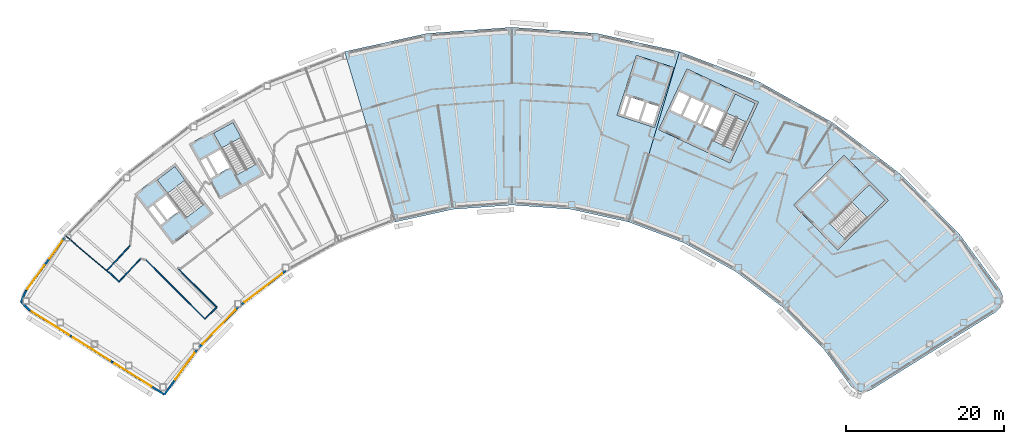
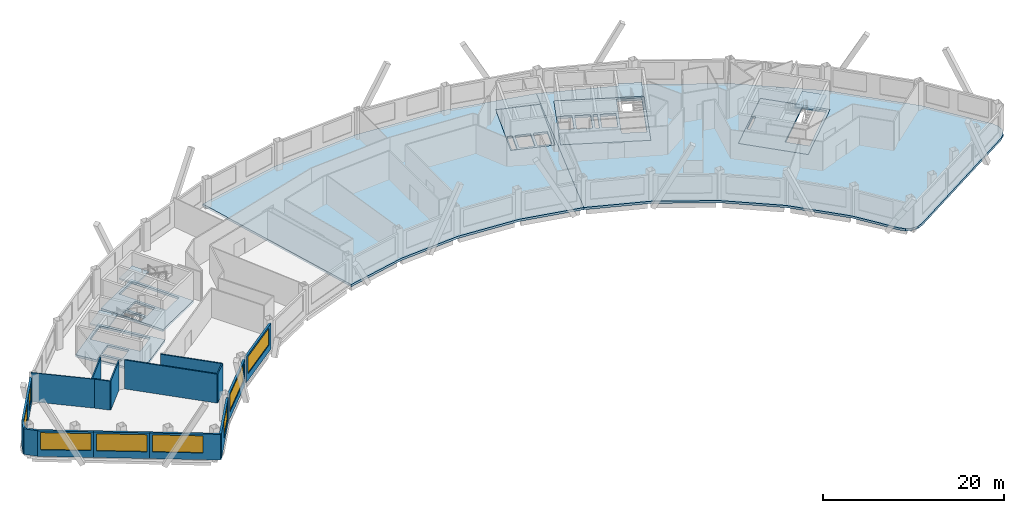
# One storey, part 4 of 13: 16 walls, 11 slabs, 8 windows, 8 openings, 4 elements without a shape of their own.
"""IFC4 building model written with IfcOpenShell, lengths in metres."""

from ifc_helpers import new_model, si_unit, direction, frame, frame_2d, origin, place, context, subcontext, project, spatial, polyline, rectangle, outline, extrude, material, layer, layer_set, type_object, element, fill, aggregate, save


model = new_model("IFC4")

# Units and contexts
model_context = context("Model", 3, precision=1e-05, world=origin(), true_north=direction((0.0, 1.0)))
body_context = subcontext(model_context, "Body", "Model", "MODEL_VIEW")
ifc_project = project(units=[si_unit("LENGTHUNIT", "METRE"), si_unit("AREAUNIT", "SQUARE_METRE"), si_unit("VOLUMEUNIT", "CUBIC_METRE"), si_unit("PLANEANGLEUNIT", "RADIAN"), si_unit("MASSUNIT", "GRAM", prefix="KILO")], contexts=[model_context])

# Site, building, storey
site_placement = place(None, origin())
site = spatial("IfcSite", under=ifc_project, at=site_placement, CompositionType="ELEMENT")
building_placement = place(site_placement, origin())
building = spatial("IfcBuilding", under=site, at=building_placement, Name="Tuul Gate Civic Tower", CompositionType="ELEMENT")
storey_placement = place(building_placement, frame((0.0, 0.0, 294.199951171875)))
storey = spatial("IfcBuildingStorey", under=building, at=storey_placement, Name="Level 66", CompositionType="ELEMENT", Elevation=294.199951171875)

# Slabs
ifc_material_1 = material(Name="Concrete C40/50", Category="concrete")
ifc_layer_1 = layer(ifc_material_1, 0.300048828125)
ifc_layer_set_1 = layer_set([ifc_layer_1], Name="Concrete C40/50")
slab_type_1 = type_object("IfcSlabType", Name="Core floor slab 300", PredefinedType="FLOOR", material=ifc_layer_set_1)
slab_1_placement = place(storey_placement, frame((0.0, 0.0, -0.300048828125)))
element("IfcSlab", 1, at=slab_1_placement, inside=storey, type_object=slab_type_1, Name="FLOOR SLAB", PredefinedType="FLOOR", context=body_context, shape_type="SweptSolid", body=[
    extrude(outline(polyline([(-31.10009765625, -13.7890625), (-35.946044921875, -7.423828125), (-41.11767578125, -11.361572265625), (-36.271484375, -17.726806640625), (-31.10009765625, -13.7890625)]), holes=[polyline([(-35.561767578125, -13.541259765625), (-37.1064453125, -11.512451171875), (-38.498779296875, -12.572509765625), (-36.9541015625, -14.6015625), (-35.561767578125, -13.541259765625)]), polyline([(-37.19287109375, -14.783203125), (-38.737548828125, -12.75439453125), (-39.45361328125, -13.299560546875), (-37.908935546875, -15.328369140625), (-37.19287109375, -14.783203125)]), polyline([(-32.33935546875, -12.65771484375), (-34.56591796875, -14.352783203125), (-38.229736328125, -9.54052734375), (-36.003173828125, -7.845458984375), (-32.33935546875, -12.65771484375)])]), origin(), (0.0, 0.0, 1.0), 0.300048828125),
])
slab_2_placement = place(storey_placement, frame((0.0, 0.0, -0.300048828125)))
element("IfcSlab", 2, at=slab_2_placement, inside=storey, type_object=slab_type_1, Name="FLOOR SLAB", PredefinedType="FLOOR", context=body_context, shape_type="SweptSolid", body=[
    extrude(outline(polyline([(-24.638916015625, -8.846923828125), (-28.51708984375, -1.849853515625), (-34.2021484375, -5.0009765625), (-30.32421875, -11.998046875), (-24.638916015625, -8.846923828125)]), holes=[polyline([(-29.0185546875, -7.958740234375), (-30.254638671875, -5.728515625), (-31.785400390625, -6.576904296875), (-30.54931640625, -8.80712890625), (-29.0185546875, -7.958740234375)]), polyline([(-30.8115234375, -8.95263671875), (-32.047607421875, -6.72216796875), (-32.8349609375, -7.158447265625), (-31.5986328125, -9.388916015625), (-30.8115234375, -8.95263671875)]), polyline([(-25.702392578125, -7.548828125), (-28.14990234375, -8.905517578125), (-31.08203125, -3.615234375), (-28.63427734375, -2.2587890625), (-25.702392578125, -7.548828125)])]), origin(), (0.0, 0.0, 1.0), 0.300048828125),
])
slab_3_placement = place(storey_placement, frame((0.0, 0.0, -0.300048828125)))
element("IfcSlab", 3, at=slab_3_placement, inside=storey, type_object=slab_type_1, Name="FLOOR SLAB", PredefinedType="FLOOR", context=body_context, shape_type="SweptSolid", body=[
    extrude(outline(polyline([(48.117919921875, -18.43310546875), (54.545166015625, -12.1328125), (48.945068359375, -6.419921875), (42.517822265625, -12.719970703125), (48.117919921875, -18.43310546875)]), holes=[polyline([(44.93896484375, -11.046875), (46.760009765625, -9.261962890625), (46.514892578125, -9.011962890625), (44.69384765625, -10.797119140625), (44.93896484375, -11.046875)]), polyline([(49.086181640625, -17.062744140625), (47.12744140625, -15.064208984375), (52.160888671875, -10.130126953125), (54.11962890625, -12.128662109375), (49.086181640625, -17.062744140625)])]), origin(), (0.0, 0.0, 1.0), 0.300048828125),
])
slab_4_placement = place(storey_placement, frame((0.0, 0.0, -0.300048828125)))
element("IfcSlab", 4, at=slab_4_placement, inside=storey, type_object=slab_type_1, Name="FLOOR SLAB", PredefinedType="FLOOR", context=body_context, shape_type="SweptSolid", body=[
    extrude(outline(polyline([(34.465087890625, -7.385986328125), (38.056884765625, 0.31787109375), (28.993896484375, 4.543701171875), (25.40185546875, -3.159912109375), (34.465087890625, -7.385986328125)]), holes=[polyline([(32.60888671875, -3.32080078125), (33.6865234375, -1.009765625), (32.1005859375, -0.27001953125), (31.02294921875, -2.581298828125), (32.60888671875, -3.32080078125)]), polyline([(30.0712890625, -2.137451171875), (31.14892578125, 0.173583984375), (29.562744140625, 0.9130859375), (28.4853515625, -1.39794921875), (30.0712890625, -2.137451171875)]), polyline([(30.751220703125, -2.454345703125), (31.82861328125, -0.143310546875), (31.4208984375, 0.046875), (30.34326171875, -2.264404296875), (30.751220703125, -2.454345703125)]), polyline([(28.21337890625, -1.27099609375), (29.291015625, 1.0400390625), (27.8408203125, 1.71630859375), (26.76318359375, -0.594970703125), (28.21337890625, -1.27099609375)]), polyline([(34.889892578125, -5.7626953125), (32.353759765625, -4.580078125), (35.120849609375, 1.354736328125), (37.6572265625, 0.17236328125), (34.889892578125, -5.7626953125)])]), origin(), (0.0, 0.0, 1.0), 0.300048828125),
])
ifc_material_2 = material(Name="Concrete C40/50", Category="concrete")
ifc_layer_2 = layer(ifc_material_2, 0.300048828125)
ifc_layer_set_2 = layer_set([ifc_layer_2], Name="Concrete C40/50")
slab_type_2 = type_object("IfcSlabType", Name="Core floor slab 300 non-bearing", PredefinedType="FLOOR", material=ifc_layer_set_2)
slab_5_placement = place(storey_placement, frame((0.0, 0.0, -0.300048828125)))
element("IfcSlab", 5, at=slab_5_placement, inside=storey, type_object=slab_type_2, Name="FLOOR SLAB", PredefinedType="FLOOR", context=body_context, shape_type="SweptSolid", body=[
    extrude(outline(polyline([(24.864990234375, -2.888916015625), (27.337890625, 4.71923828125), (22.58251953125, 6.264404296875), (20.109619140625, -1.343994140625), (24.864990234375, -2.888916015625)]), holes=[polyline([(24.67236328125, -2.510986328125), (25.414306640625, -0.228515625), (23.892578125, 0.265869140625), (23.150634765625, -2.0166015625), (24.67236328125, -2.510986328125)]), polyline([(22.865478515625, -1.923828125), (23.607177734375, 0.358642578125), (21.94287109375, 0.8994140625), (21.201171875, -1.383056640625), (22.865478515625, -1.923828125)]), polyline([(20.869384765625, -1.43310546875), (21.65771484375, 0.9921875), (21.0869140625, 1.177490234375), (20.298583984375, -1.24755859375), (20.869384765625, -1.43310546875)])]), origin(), (0.0, 0.0, 1.0), 0.300048828125),
])

# Stair, slab
ifc_material_3 = material(Name="Concrete C40/50", Category="concrete")
stair_type = type_object("IfcStairType", Name="Exit stair", PredefinedType="HALF_TURN_STAIR", material=ifc_material_3)
stair_1_placement = place(storey_placement, origin())
stair_1 = element("IfcStair", 6, at=stair_1_placement, inside=storey, type_object=stair_type, Name="Level 66 ST-1", PredefinedType="HALF_TURN_STAIR")
ifc_material_4 = material(Name="Concrete C40/50", Category="concrete")
ifc_layer_3 = layer(ifc_material_4, 0.199951171875)
ifc_layer_set_3 = layer_set([ifc_layer_3], Name="Concrete C40/50")
slab_type_3 = type_object("IfcSlabType", Name="Exit stair landing", PredefinedType="LANDING", material=ifc_layer_set_3)
slab_6_placement = place(storey_placement, frame((0.0, 0.0, 1.900146484375)))
slab_6 = element("IfcSlab", 7, at=slab_6_placement, type_object=slab_type_3, Name="ST-1 landing 1", PredefinedType="LANDING", context=body_context, shape_type="SweptSolid", body=[
    extrude(outline(polyline([(-34.699462890625, -9.554931640625), (-36.9287109375, -11.252197265625), (-38.23193359375, -9.540283203125), (-36.0029296875, -7.843017578125), (-34.699462890625, -9.554931640625)])), origin(), (0.0, 0.0, 1.0), 0.199951171875),
])
aggregate(stair_1, [slab_6])

stair_2_placement = place(storey_placement, origin())
stair_2 = element("IfcStair", 8, at=stair_2_placement, inside=storey, type_object=stair_type, Name="Level 66 ST-2", PredefinedType="HALF_TURN_STAIR")
slab_7_placement = place(storey_placement, frame((0.0, 0.0, 1.900146484375)))
slab_7 = element("IfcSlab", 9, at=slab_7_placement, type_object=slab_type_3, Name="ST-2 landing 1", PredefinedType="LANDING", context=body_context, shape_type="SweptSolid", body=[
    extrude(outline(polyline([(-27.5908203125, -4.138427734375), (-30.041015625, -5.49658203125), (-31.084228515625, -3.61474609375), (-28.6337890625, -2.256591796875), (-27.5908203125, -4.138427734375)])), origin(), (0.0, 0.0, 1.0), 0.199951171875),
])
aggregate(stair_2, [slab_7])

stair_3_placement = place(storey_placement, origin())
stair_3 = element("IfcStair", 10, at=stair_3_placement, inside=storey, type_object=stair_type, Name="Level 66 ST-3", PredefinedType="HALF_TURN_STAIR")
slab_8_placement = place(storey_placement, frame((0.0, 0.0, 1.900146484375)))
slab_8 = element("IfcSlab", 11, at=slab_8_placement, type_object=slab_type_3, Name="ST-3 landing 1", PredefinedType="LANDING", context=body_context, shape_type="SweptSolid", body=[
    extrude(outline(polyline([(51.871337890625, -14.3349609375), (49.91015625, -12.334228515625), (52.160888671875, -10.1279296875), (54.1220703125, -12.128662109375), (51.871337890625, -14.3349609375)])), origin(), (0.0, 0.0, 1.0), 0.199951171875),
])
aggregate(stair_3, [slab_8])

stair_4_placement = place(storey_placement, origin())
stair_4 = element("IfcStair", 12, at=stair_4_placement, inside=storey, type_object=stair_type, Name="Level 66 ST-4", PredefinedType="HALF_TURN_STAIR")
slab_9_placement = place(storey_placement, frame((0.0, 0.0, 1.900146484375)))
slab_9 = element("IfcSlab", 13, at=slab_9_placement, type_object=slab_type_3, Name="ST-4 landing 1", PredefinedType="LANDING", context=body_context, shape_type="SweptSolid", body=[
    extrude(outline(polyline([(36.538818359375, -2.230224609375), (33.999755859375, -1.046142578125), (35.1201171875, 1.35693359375), (37.659423828125, 0.173095703125), (36.538818359375, -2.230224609375)])), origin(), (0.0, 0.0, 1.0), 0.199951171875),
])
aggregate(stair_4, [slab_9])

# Slabs
ifc_material_5 = material(Name="Concrete C35/45", Category="concrete")
ifc_layer_4 = layer(ifc_material_5, 0.300048828125)
ifc_layer_set_4 = layer_set([ifc_layer_4], Name="Concrete C35/45")
slab_type_4 = type_object("IfcSlabType", Name="STR-FLOOR-SLAB-300", PredefinedType="FLOOR", material=ifc_layer_set_4)
slab_10_placement = place(storey_placement, frame((0.0, 0.0, -0.300048828125)))
element("IfcSlab", 14, at=slab_10_placement, inside=storey, type_object=slab_type_4, Name="Level 66/slab/M", PredefinedType="FLOOR", context=body_context, shape_type="SweptSolid", body=[
    extrude(outline(polyline([(21.60205078125, -14.883056640625), (28.035888671875, 6.739013671875), (17.52392578125, 9.054931640625), (6.7880859375, 9.8330078125), (-3.947998046875, 9.054931640625), (-14.4599609375, 6.739013671875), (-8.02587890625, -14.883056640625), (-0.697021484375, -13.26806640625), (6.7880859375, -12.72607421875), (14.27294921875, -13.26806640625), (21.60205078125, -14.883056640625)]), holes=[polyline([(20.110107421875, -1.343994140625), (22.58203125, 6.264892578125), (27.337890625, 4.719970703125), (24.864990234375, -2.888916015625), (20.110107421875, -1.343994140625)])]), origin(), (0.0, 0.0, 1.0), 0.300048828125),
])
slab_11_placement = place(storey_placement, frame((0.0, 0.0, -0.300048828125)))
element("IfcSlab", 15, at=slab_11_placement, inside=storey, type_object=slab_type_4, Name="Level 66/slab/E", PredefinedType="FLOOR", context=body_context, shape_type="SweptSolid", body=[
    extrude(outline(polyline([(51.719970703125, -36.427001953125), (52.4140625, -36.156005859375), (68.14404296875, -26.326904296875), (68.73388671875, -25.762939453125), (69.048095703125, -25.010009765625), (69.035888671875, -24.195068359375), (68.699951171875, -23.451904296875), (63.618896484375, -16.4951171875), (56.083984375, -8.80810546875), (47.51904296875, -2.287109375), (38.10498046875, 2.930908203125), (28.035888671875, 6.739013671875), (21.60205078125, -14.883056640625), (28.6220703125, -17.5380859375), (35.18603515625, -21.176025390625), (41.156982421875, -25.721923828125), (46.409912109375, -31.08203125), (49.739013671875, -35.639892578125), (50.282958984375, -36.14892578125), (50.97509765625, -36.424072265625), (51.719970703125, -36.427001953125)]), holes=[polyline([(48.117919921875, -18.43310546875), (42.51806640625, -12.719970703125), (48.945068359375, -6.419921875), (54.544921875, -12.133056640625), (48.117919921875, -18.43310546875)]), polyline([(25.402099609375, -3.159912109375), (28.993896484375, 4.5439453125), (38.056884765625, 0.318115234375), (34.465087890625, -7.385986328125), (25.402099609375, -3.159912109375)])]), origin(), (0.0, 0.0, 1.0), 0.300048828125),
])

# Walls
ifc_material_6 = material(Name="Gypsum board partition")
ifc_layer_5 = layer(ifc_material_6, 0.14990234375)
ifc_layer_set_5 = layer_set([ifc_layer_5], Name="Gypsum board partition")
wall_type_1 = type_object("IfcWallType", Name="Corridor wall P150", PredefinedType="PARTITIONING", material=ifc_layer_set_5)
wall_1_placement = place(storey_placement, frame((-44.6142578125, -21.029052734375, 0.0), z_axis=(0.0, 0.0, 1.0), x_axis=(0.68265633177, 0.730739579259, 0.0)))
element("IfcWall", 16, at=wall_1_placement, inside=storey, type_object=wall_type_1, Name="p045", PredefinedType="PARTITIONING", context=body_context, shape_type="SweptSolid", body=[
    extrude(rectangle(XDim=4.27001953125, YDim=0.14990234375, at=frame_2d((2.135009765625, 0.0))), origin(), (0.0, 0.0, 1.0), 3.900146484375),
])
wall_2_placement = place(storey_placement, frame((-44.39306640625, -21.236572265625, 0.0), z_axis=(0.0, 0.0, 1.0), x_axis=(0.730747937215, -0.682647385007, 0.0)))
element("IfcWall", 17, at=wall_2_placement, inside=storey, type_object=wall_type_1, Name="p046", PredefinedType="PARTITIONING", context=body_context, shape_type="SweptSolid", body=[
    extrude(rectangle(XDim=1.796875, YDim=0.14990234375, at=frame_2d((0.8984375, 0.0))), origin(), (0.0, 0.0, 1.0), 3.900146484375),
])
wall_3_placement = place(storey_placement, frame((-43.080078125, -22.463134765625, 0.0), z_axis=(0.0, 0.0, 1.0), x_axis=(0.682698460931, 0.730700219955, 0.0)))
element("IfcWall", 18, at=wall_3_placement, inside=storey, type_object=wall_type_1, Name="p078", PredefinedType="PARTITIONING", context=body_context, shape_type="SweptSolid", body=[
    extrude(rectangle(XDim=4.002685546875, YDim=0.14990234375, at=frame_2d((2.00146484375, 0.0))), origin(), (0.0, 0.0, 1.0), 3.900146484375),
])
wall_4_placement = place(storey_placement, frame((-39.660400390625, -19.703369140625, 0.0), z_axis=(0.0, 0.0, 1.0), x_axis=(0.707106781187, -0.707106781187, 0.0)))
element("IfcWall", 19, at=wall_4_placement, inside=storey, type_object=wall_type_1, Name="p081", PredefinedType="PARTITIONING", context=body_context, shape_type="SweptSolid", body=[
    extrude(rectangle(XDim=10.580078125, YDim=0.14990234375, at=frame_2d((5.2900390625, 0.0))), origin(), (0.0, 0.0, 1.0), 3.900146484375),
])
wall_5_placement = place(storey_placement, frame((-32.17919921875, -27.1845703125, 0.0), z_axis=(0.0, 0.0, 1.0), x_axis=(0.707164905125, 0.70704865247, 0.0)))
element("IfcWall", 20, at=wall_5_placement, inside=storey, type_object=wall_type_1, Name="p082", PredefinedType="PARTITIONING", context=body_context, shape_type="SweptSolid", body=[
    extrude(rectangle(XDim=2.10009765625, YDim=0.14990234375, at=frame_2d((1.050048828125, 0.0))), origin(), (0.0, 0.0, 1.0), 3.900146484375),
])
wall_6_placement = place(storey_placement, frame((-35.668701171875, -20.72509765625, 0.0), z_axis=(0.0, 0.0, 1.0), x_axis=(0.707106781187, -0.707106781187, 0.0)))
element("IfcWall", 21, at=wall_6_placement, inside=storey, type_object=wall_type_1, Name="p083", PredefinedType="PARTITIONING", context=body_context, shape_type="SweptSolid", body=[
    extrude(rectangle(XDim=7.03515625, YDim=0.14990234375, at=frame_2d((3.517578125, 0.0))), origin(), (0.0, 0.0, 1.0), 3.900146484375),
])

# Wall, openings, windows
ifc_material_7 = material(Name="Precast concrete C40/50", Category="concrete")
ifc_layer_6 = layer(ifc_material_7, 0.25)
ifc_layer_set_6 = layer_set([ifc_layer_6], Name="Precast concrete C40/50")
wall_type_2 = type_object("IfcWallType", Name="External wall", PredefinedType="STANDARD", material=ifc_layer_set_6)
wall_7_placement = place(storey_placement, frame((-49.98388671875, -16.880615234375, 0.0), z_axis=(0.0, 0.0, 1.0), x_axis=(-0.589770614985, -0.807570815285, 0.0)))
wall_7 = element("IfcWall", 22, at=wall_7_placement, inside=storey, type_object=wall_type_2, Name="External wall", PredefinedType="STANDARD", context=body_context, shape_type="SweptSolid", body=[
    extrude(rectangle(XDim=8.337646484375, YDim=0.25, at=frame_2d((4.1689453125, 0.0))), origin(), (0.0, 0.0, 1.0), 3.449951171875),
])
opening_1_placement = place(wall_7_placement, frame((0.48486328125, 0.0, 0.89990234375)))
opening_1 = element("IfcOpeningElement", 23, at=opening_1_placement, cuts=wall_7, Name="Opening W23", PredefinedType="OPENING", context=body_context, shape_type="SweptSolid", body=[
    extrude(rectangle(XDim=2.800048828125, YDim=2.300048828125, at=frame_2d((1.39990234375, 1.14990234375))), frame((0.0, 0.135009765625, 0.0), z_axis=(0.0, -1.0, 0.0), x_axis=(1.0, 0.0, 0.0)), (0.0, 0.0, 1.0), 0.27001953125),
])
opening_2_placement = place(wall_7_placement, frame((4.33642578125, 0.0, 0.89990234375)))
opening_2 = element("IfcOpeningElement", 24, at=opening_2_placement, cuts=wall_7, Name="Opening W21", PredefinedType="OPENING", context=body_context, shape_type="SweptSolid", body=[
    extrude(rectangle(XDim=3.699951171875, YDim=2.300048828125, at=frame_2d((1.85009765625, 1.14990234375))), frame((0.0, 0.135009765625, 0.0), z_axis=(0.0, -1.0, 0.0), x_axis=(1.0, 0.0, 0.0)), (0.0, 0.0, 1.0), 0.27001953125),
])
ifc_material_8 = material(Name="Glass", Category="glass")
window_type_1 = type_object("IfcWindowType", Name="Window W21 3700 x 2300", PartitioningType="SINGLE_PANEL", PredefinedType="WINDOW", material=ifc_material_8)
window_1_placement = place(opening_2_placement, origin())
window_1 = element("IfcWindow", 25, at=window_1_placement, inside=storey, type_object=window_type_1, Name="Window", OverallHeight=2.300048828125, OverallWidth=3.699951171875, PartitioningType="SINGLE_PANEL", PredefinedType="WINDOW", context=body_context, shape_type="SweptSolid", body=[
    extrude(rectangle(XDim=3.699951171875, YDim=2.300048828125, at=frame_2d((1.85009765625, 1.14990234375))), frame((0.0, 0.030029296875, 0.0), z_axis=(0.0, -1.0, 0.0), x_axis=(1.0, 0.0, 0.0)), (0.0, 0.0, 1.0), 0.06005859375),
])
fill(opening_2, window_1)
ifc_material_9 = material(Name="Glass", Category="glass")
window_type_2 = type_object("IfcWindowType", Name="Window W23 2800 x 2300", PartitioningType="SINGLE_PANEL", PredefinedType="WINDOW", material=ifc_material_9)
window_2_placement = place(opening_1_placement, origin())
window_2 = element("IfcWindow", 26, at=window_2_placement, inside=storey, type_object=window_type_2, Name="Window", OverallHeight=2.300048828125, OverallWidth=2.800048828125, PartitioningType="SINGLE_PANEL", PredefinedType="WINDOW", context=body_context, shape_type="SweptSolid", body=[
    extrude(rectangle(XDim=2.800048828125, YDim=2.300048828125, at=frame_2d((1.39990234375, 1.14990234375))), frame((0.0, 0.030029296875, 0.0), z_axis=(0.0, -1.0, 0.0), x_axis=(1.0, 0.0, 0.0)), (0.0, 0.0, 1.0), 0.06005859375),
])
fill(opening_1, window_2)

# Walls
wall_8_placement = place(storey_placement, frame((-54.88818359375, -23.591796875, 0.0), z_axis=(0.0, 0.0, 1.0), x_axis=(-0.413556849361, -0.910478298669, 0.0)))
element("IfcWall", 27, at=wall_8_placement, inside=storey, type_object=wall_type_2, Name="External wall", PredefinedType="STANDARD", context=body_context, shape_type="SweptSolid", body=[
    extrude(rectangle(XDim=1.56982421875, YDim=0.25, at=frame_2d((0.784912109375, 0.0))), origin(), (0.0, 0.0, 1.0), 3.449951171875),
])
wall_9_placement = place(storey_placement, frame((-55.537353515625, -25.02099609375, 0.0), z_axis=(0.0, 0.0, 1.0), x_axis=(0.721623018899, -0.692286225917, 0.0)))
element("IfcWall", 28, at=wall_9_placement, inside=storey, type_object=wall_type_2, Name="External wall", PredefinedType="STANDARD", context=body_context, shape_type="SweptSolid", body=[
    extrude(rectangle(XDim=1.57275390625, YDim=0.25, at=frame_2d((0.786376953125, 0.0))), origin(), (0.0, 0.0, 1.0), 3.449951171875),
])

# Wall, opening, window
wall_10_placement = place(storey_placement, frame((-54.4228515625, -26.093994140625, 0.0), z_axis=(0.0, 0.0, 1.0), x_axis=(0.848053758074, -0.529910203164, 0.0)))
wall_10 = element("IfcWall", 29, at=wall_10_placement, inside=storey, type_object=wall_type_2, Name="External wall", PredefinedType="STANDARD", context=body_context, shape_type="SweptSolid", body=[
    extrude(rectangle(XDim=6.182861328125, YDim=0.25, at=frame_2d((3.09130859375, 0.0))), origin(), (0.0, 0.0, 1.0), 3.449951171875),
])
opening_3_placement = place(wall_10_placement, frame((0.31640625, 0.0, 0.89990234375)))
opening_3 = element("IfcOpeningElement", 30, at=opening_3_placement, cuts=wall_10, Name="Opening W24", PredefinedType="OPENING", context=body_context, shape_type="SweptSolid", body=[
    extrude(rectangle(XDim=5.550048828125, YDim=2.300048828125, at=frame_2d((2.77490234375, 1.14990234375))), frame((0.0, 0.135009765625, 0.0), z_axis=(0.0, -1.0, 0.0), x_axis=(1.0, 0.0, 0.0)), (0.0, 0.0, 1.0), 0.27001953125),
])
ifc_material_10 = material(Name="Glass", Category="glass")
window_type_3 = type_object("IfcWindowType", Name="Window W24 5550 x 2300", PartitioningType="SINGLE_PANEL", PredefinedType="WINDOW", material=ifc_material_10)
window_3_placement = place(opening_3_placement, origin())
window_3 = element("IfcWindow", 31, at=window_3_placement, inside=storey, type_object=window_type_3, Name="Window", OverallHeight=2.300048828125, OverallWidth=5.550048828125, PartitioningType="SINGLE_PANEL", PredefinedType="WINDOW", context=body_context, shape_type="SweptSolid", body=[
    extrude(rectangle(XDim=5.550048828125, YDim=2.300048828125, at=frame_2d((2.77490234375, 1.14990234375))), frame((0.0, 0.030029296875, 0.0), z_axis=(0.0, -1.0, 0.0), x_axis=(1.0, 0.0, 0.0)), (0.0, 0.0, 1.0), 0.06005859375),
])
fill(opening_3, window_3)

wall_11_placement = place(storey_placement, frame((-49.179443359375, -29.370361328125, 0.0), z_axis=(0.0, 0.0, 1.0), x_axis=(0.848053758074, -0.529910203164, 0.0)))
wall_11 = element("IfcWall", 32, at=wall_11_placement, inside=storey, type_object=wall_type_2, Name="External wall", PredefinedType="STANDARD", context=body_context, shape_type="SweptSolid", body=[
    extrude(rectangle(XDim=6.182861328125, YDim=0.25, at=frame_2d((3.09130859375, 0.0))), origin(), (0.0, 0.0, 1.0), 3.449951171875),
])
opening_4_placement = place(wall_11_placement, frame((0.31640625, 0.0, 0.89990234375)))
opening_4 = element("IfcOpeningElement", 33, at=opening_4_placement, cuts=wall_11, Name="Opening W24", PredefinedType="OPENING", context=body_context, shape_type="SweptSolid", body=[
    extrude(rectangle(XDim=5.550048828125, YDim=2.300048828125, at=frame_2d((2.77490234375, 1.14990234375))), frame((0.0, 0.135009765625, 0.0), z_axis=(0.0, -1.0, 0.0), x_axis=(1.0, 0.0, 0.0)), (0.0, 0.0, 1.0), 0.27001953125),
])
window_4_placement = place(opening_4_placement, origin())
window_4 = element("IfcWindow", 34, at=window_4_placement, inside=storey, type_object=window_type_3, Name="Window", OverallHeight=2.300048828125, OverallWidth=5.550048828125, PartitioningType="SINGLE_PANEL", PredefinedType="WINDOW", context=body_context, shape_type="SweptSolid", body=[
    extrude(rectangle(XDim=5.550048828125, YDim=2.300048828125, at=frame_2d((2.77490234375, 1.14990234375))), frame((0.0, 0.030029296875, 0.0), z_axis=(0.0, -1.0, 0.0), x_axis=(1.0, 0.0, 0.0)), (0.0, 0.0, 1.0), 0.06005859375),
])
fill(opening_4, window_4)

wall_12_placement = place(storey_placement, frame((-43.93603515625, -32.646728515625, 0.0), z_axis=(0.0, 0.0, 1.0), x_axis=(0.848051131154, -0.529914407191, 0.0)))
wall_12 = element("IfcWall", 35, at=wall_12_placement, inside=storey, type_object=wall_type_2, Name="External wall", PredefinedType="STANDARD", context=body_context, shape_type="SweptSolid", body=[
    extrude(rectangle(XDim=7.788330078125, YDim=0.25, at=frame_2d((3.89404296875, 0.0))), origin(), (0.0, 0.0, 1.0), 3.449951171875),
])
opening_5_placement = place(wall_12_placement, frame((0.31640625, 0.0, 0.89990234375)))
opening_5 = element("IfcOpeningElement", 36, at=opening_5_placement, cuts=wall_12, Name="Opening W24", PredefinedType="OPENING", context=body_context, shape_type="SweptSolid", body=[
    extrude(rectangle(XDim=5.550048828125, YDim=2.300048828125, at=frame_2d((2.77490234375, 1.14990234375))), frame((0.0, 0.135009765625, 0.0), z_axis=(0.0, -1.0, 0.0), x_axis=(1.0, 0.0, 0.0)), (0.0, 0.0, 1.0), 0.27001953125),
])
window_5_placement = place(opening_5_placement, origin())
window_5 = element("IfcWindow", 37, at=window_5_placement, inside=storey, type_object=window_type_3, Name="Window", OverallHeight=2.300048828125, OverallWidth=5.550048828125, PartitioningType="SINGLE_PANEL", PredefinedType="WINDOW", context=body_context, shape_type="SweptSolid", body=[
    extrude(rectangle(XDim=5.550048828125, YDim=2.300048828125, at=frame_2d((2.77490234375, 1.14990234375))), frame((0.0, 0.030029296875, 0.0), z_axis=(0.0, -1.0, 0.0), x_axis=(1.0, 0.0, 0.0)), (0.0, 0.0, 1.0), 0.06005859375),
])
fill(opening_5, window_5)

wall_13_placement = place(storey_placement, frame((-37.3310546875, -36.77392578125, 0.0), z_axis=(0.0, 0.0, 1.0), x_axis=(0.589738966527, 0.807593927267, 0.0)))
wall_13 = element("IfcWall", 38, at=wall_13_placement, inside=storey, type_object=wall_type_2, Name="External wall", PredefinedType="STANDARD", context=body_context, shape_type="SweptSolid", body=[
    extrude(rectangle(XDim=7.034423828125, YDim=0.25, at=frame_2d((3.51708984375, 0.0))), origin(), (0.0, 0.0, 1.0), 3.449951171875),
])
opening_6_placement = place(wall_13_placement, frame((2.356689453125, 0.0, 0.89990234375)))
opening_6 = element("IfcOpeningElement", 39, at=opening_6_placement, cuts=wall_13, Name="Opening W25", PredefinedType="OPENING", context=body_context, shape_type="SweptSolid", body=[
    extrude(rectangle(XDim=4.14990234375, YDim=2.300048828125, at=frame_2d((2.074951171875, 1.14990234375))), frame((0.0, 0.135009765625, 0.0), z_axis=(0.0, -1.0, 0.0), x_axis=(1.0, 0.0, 0.0)), (0.0, 0.0, 1.0), 0.27001953125),
])
ifc_material_11 = material(Name="Glass", Category="glass")
window_type_4 = type_object("IfcWindowType", Name="Window W25 4150 x 2300", PartitioningType="SINGLE_PANEL", PredefinedType="WINDOW", material=ifc_material_11)
window_6_placement = place(opening_6_placement, origin())
window_6 = element("IfcWindow", 40, at=window_6_placement, inside=storey, type_object=window_type_4, Name="Window", OverallHeight=2.300048828125, OverallWidth=4.14990234375, PartitioningType="SINGLE_PANEL", PredefinedType="WINDOW", context=body_context, shape_type="SweptSolid", body=[
    extrude(rectangle(XDim=4.14990234375, YDim=2.300048828125, at=frame_2d((2.074951171875, 1.14990234375))), frame((0.0, 0.030029296875, 0.0), z_axis=(0.0, -1.0, 0.0), x_axis=(1.0, 0.0, 0.0)), (0.0, 0.0, 1.0), 0.06005859375),
])
fill(opening_6, window_6)

wall_14_placement = place(storey_placement, frame((-32.89306640625, -30.749267578125, 0.0), z_axis=(0.0, 0.0, 1.0), x_axis=(0.700033997015, 0.714109517528, 0.0)))
wall_14 = element("IfcWall", 41, at=wall_14_placement, inside=storey, type_object=wall_type_2, Name="External wall", PredefinedType="STANDARD", context=body_context, shape_type="SweptSolid", body=[
    extrude(rectangle(XDim=7.111572265625, YDim=0.25, at=frame_2d((3.5556640625, 0.0))), origin(), (0.0, 0.0, 1.0), 3.449951171875),
])
opening_7_placement = place(wall_14_placement, frame((0.555908203125, 0.0, 0.89990234375)))
opening_7 = element("IfcOpeningElement", 42, at=opening_7_placement, cuts=wall_14, Name="Opening W26", PredefinedType="OPENING", context=body_context, shape_type="SweptSolid", body=[
    extrude(rectangle(XDim=6.0, YDim=2.300048828125, at=frame_2d((3.0, 1.14990234375))), frame((0.0, 0.135009765625, 0.0), z_axis=(0.0, -1.0, 0.0), x_axis=(1.0, 0.0, 0.0)), (0.0, 0.0, 1.0), 0.27001953125),
])
ifc_material_12 = material(Name="Glass", Category="glass")
window_type_5 = type_object("IfcWindowType", Name="Window W26 6000 x 2300", PartitioningType="SINGLE_PANEL", PredefinedType="WINDOW", material=ifc_material_12)
window_7_placement = place(opening_7_placement, origin())
window_7 = element("IfcWindow", 43, at=window_7_placement, inside=storey, type_object=window_type_5, Name="Window", OverallHeight=2.300048828125, OverallWidth=6.0, PartitioningType="SINGLE_PANEL", PredefinedType="WINDOW", context=body_context, shape_type="SweptSolid", body=[
    extrude(rectangle(XDim=6.0, YDim=2.300048828125, at=frame_2d((3.0, 1.14990234375))), frame((0.0, 0.030029296875, 0.0), z_axis=(0.0, -1.0, 0.0), x_axis=(1.0, 0.0, 0.0)), (0.0, 0.0, 1.0), 0.06005859375),
])
fill(opening_7, window_7)

wall_15_placement = place(storey_placement, frame((-27.5791015625, -25.3759765625, 0.0), z_axis=(0.0, 0.0, 1.0), x_axis=(0.795582375141, 0.605845429433, 0.0)))
wall_15 = element("IfcWall", 44, at=wall_15_placement, inside=storey, type_object=wall_type_2, Name="External wall", PredefinedType="STANDARD", context=body_context, shape_type="SweptSolid", body=[
    extrude(rectangle(XDim=7.10400390625, YDim=0.25, at=frame_2d((3.552001953125, 0.0))), origin(), (0.0, 0.0, 1.0), 3.449951171875),
])
opening_8_placement = place(wall_15_placement, frame((0.541259765625, 0.0, 0.89990234375)))
opening_8 = element("IfcOpeningElement", 45, at=opening_8_placement, cuts=wall_15, Name="Opening W26", PredefinedType="OPENING", context=body_context, shape_type="SweptSolid", body=[
    extrude(rectangle(XDim=6.0, YDim=2.300048828125, at=frame_2d((3.0, 1.14990234375))), frame((0.0, 0.135009765625, 0.0), z_axis=(0.0, -1.0, 0.0), x_axis=(1.0, 0.0, 0.0)), (0.0, 0.0, 1.0), 0.27001953125),
])
window_8_placement = place(opening_8_placement, origin())
window_8 = element("IfcWindow", 46, at=window_8_placement, inside=storey, type_object=window_type_5, Name="Window", OverallHeight=2.300048828125, OverallWidth=6.0, PartitioningType="SINGLE_PANEL", PredefinedType="WINDOW", context=body_context, shape_type="SweptSolid", body=[
    extrude(rectangle(XDim=6.0, YDim=2.300048828125, at=frame_2d((3.0, 1.14990234375))), frame((0.0, 0.030029296875, 0.0), z_axis=(0.0, -1.0, 0.0), x_axis=(1.0, 0.0, 0.0)), (0.0, 0.0, 1.0), 0.06005859375),
])
fill(opening_8, window_8)

# Wall
ifc_material_13 = material(Name="Gypsum board partition")
ifc_layer_7 = layer(ifc_material_13, 0.10009765625)
ifc_layer_set_7 = layer_set([ifc_layer_7], Name="Gypsum board partition")
wall_type_3 = type_object("IfcWallType", Name="Partition P100", PredefinedType="PARTITIONING", material=ifc_layer_set_7)
wall_16_placement = place(storey_placement, frame((-49.83642578125, -16.669921875, 0.0), z_axis=(0.0, 0.0, 1.0), x_axis=(0.762820003428, -0.646610889461, 0.0)))
element("IfcWall", 47, at=wall_16_placement, inside=storey, type_object=wall_type_3, Name="p036", PredefinedType="PARTITIONING", context=body_context, shape_type="SweptSolid", body=[
    extrude(rectangle(XDim=7.100830078125, YDim=0.10009765625, at=frame_2d((3.55029296875, 0.0))), origin(), (0.0, 0.0, 1.0), 3.900146484375),
])

save(model, "model.ifc")
